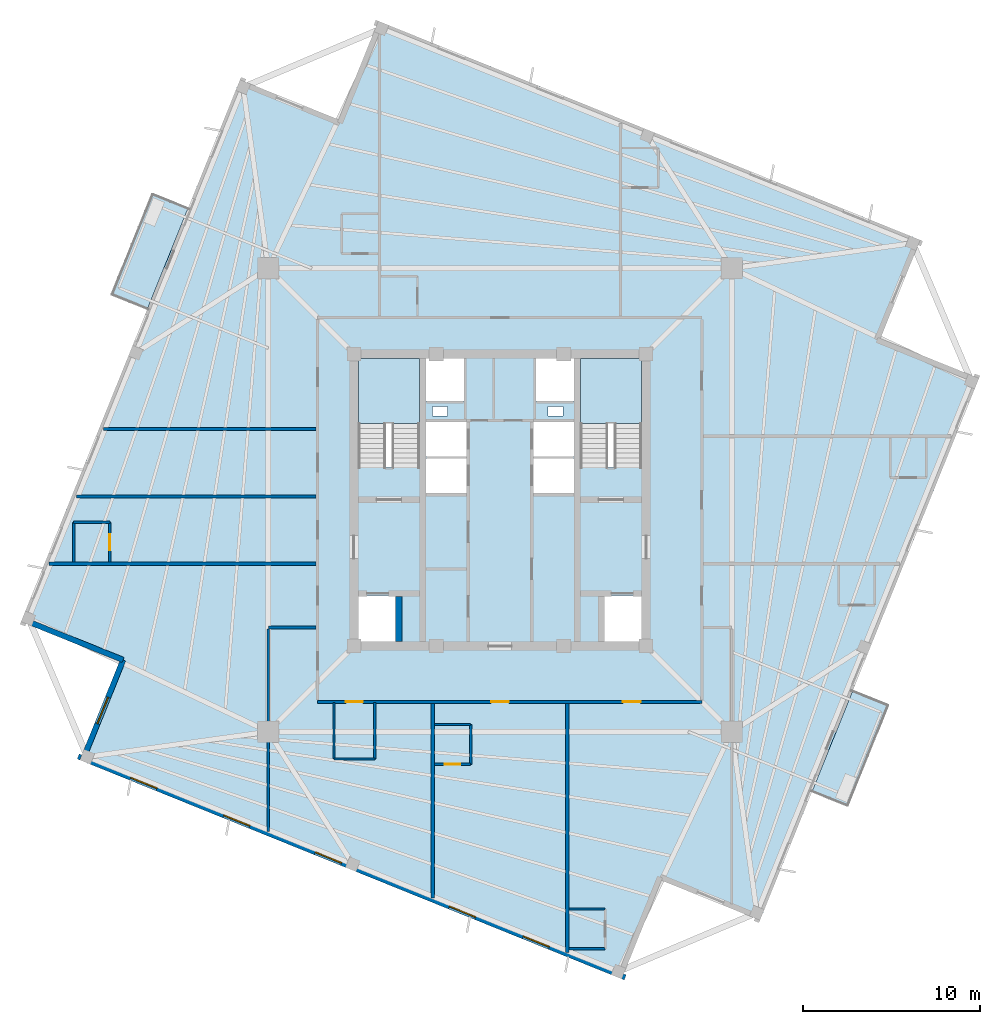
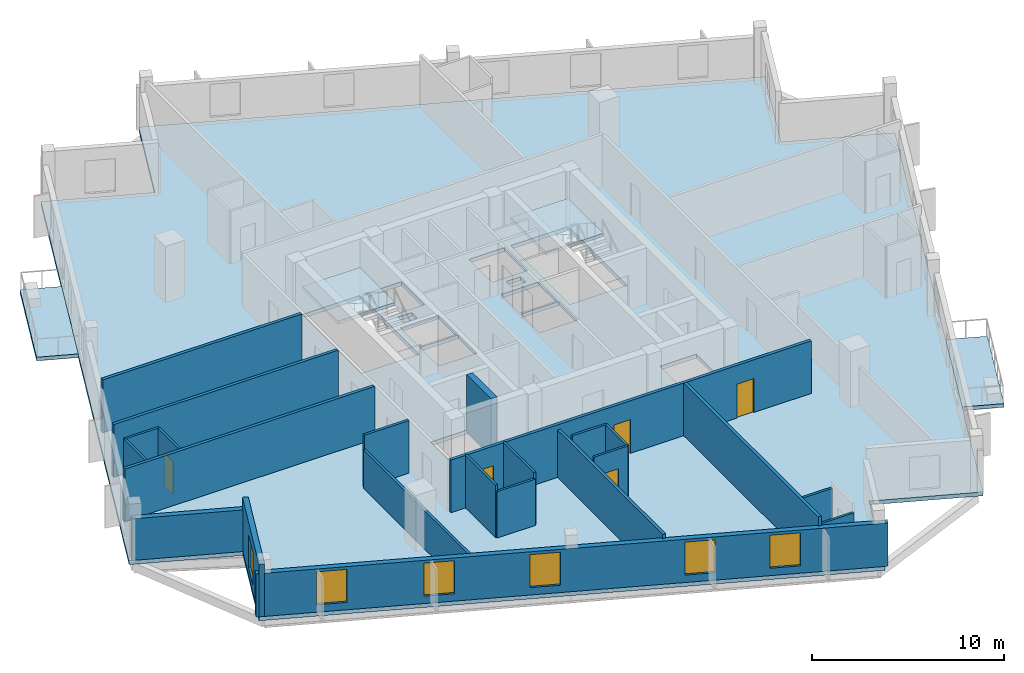
# One storey, part 2 of 9: 23 walls, 6 windows, 5 doors, 5 slabs, 11 openings, 2 elements without a shape of their own.
"""IFC4 building model written with IfcOpenShell, lengths in metres."""

from ifc_helpers import new_model, si_unit, direction, frame, frame_2d, origin, place, context, subcontext, project, spatial, polyline, rectangle, outline, extrude, source, transform, mapped, material, layer, layer_set, type_object, element, fill, aggregate, save


model = new_model("IFC4")

# Units and contexts
model_context = context("Model", 3, precision=1e-05, world=origin(), true_north=direction((0.0, 1.0)))
body_context = subcontext(model_context, "Body", "Model", "MODEL_VIEW")
ifc_project = project(units=[si_unit("LENGTHUNIT", "METRE"), si_unit("AREAUNIT", "SQUARE_METRE"), si_unit("VOLUMEUNIT", "CUBIC_METRE"), si_unit("PLANEANGLEUNIT", "RADIAN"), si_unit("MASSUNIT", "GRAM", prefix="KILO"), si_unit("THERMODYNAMICTEMPERATUREUNIT", "KELVIN")], contexts=[model_context])

# Site, building, storey
site_placement = place(None, origin())
site = spatial("IfcSite", under=ifc_project, at=site_placement, CompositionType="ELEMENT")
building_placement = place(site_placement, origin())
building = spatial("IfcBuilding", under=site, at=building_placement, Name="Kosmvard Interchange Tower", CompositionType="ELEMENT")
storey_placement = place(building_placement, frame((0.0, 0.0, 272.39990234375)))
storey = spatial("IfcBuildingStorey", under=building, at=storey_placement, Name="L66", CompositionType="ELEMENT", Elevation=272.39990234375)

# Slab
ifc_material_1 = material(Name="Concrete C50/60", Category="concrete")
ifc_layer_1 = layer(ifc_material_1, 0.25, Name="Concrete C50/60")
ifc_layer_set_1 = layer_set([ifc_layer_1], Name="Concrete C50/60")
slab_type_1 = type_object("IfcSlabType", Name="Hotel Acoustic Floor Slab 250 C50/60", PredefinedType="FLOOR", material=ifc_layer_set_1)
slab_1_placement = place(storey_placement, frame((0.0, 0.0, -0.25)))
element("IfcSlab", 1, at=slab_1_placement, inside=storey, type_object=slab_type_1, Name="L66 Structural Floor Slab", PredefinedType="FLOOR", context=body_context, shape_type="SweptSolid", body=[
    extrude(outline(polyline([(14.6806640625, -23.727294921875), (27.042724609375, 6.869873046875), (21.4794921875, 9.117431640625), (23.727294921875, 14.6806640625), (-6.869873046875, 27.042724609375), (-9.117431640625, 21.4794921875), (-14.6806640625, 23.727294921875), (-27.042724609375, -6.869873046875), (-21.4794921875, -9.117431640625), (-23.727294921875, -14.6806640625), (6.869873046875, -27.042724609375), (9.117431640625, -21.4794921875), (14.6806640625, -23.727294921875)]), holes=[polyline([(-8.0, 1.8349609375), (-4.5400390625, 1.8349609375), (-4.5400390625, 8.0), (-8.0, 8.0), (-8.0, 1.8349609375)]), polyline([(4.5400390625, 1.8349609375), (8.0, 1.8349609375), (8.0, 8.0), (4.5400390625, 8.0), (4.5400390625, 1.8349609375)]), polyline([(-8.0, -8.0), (-5.800048828125, -8.0), (-5.800048828125, -5.39990234375), (-8.0, -5.39990234375), (-8.0, -8.0)]), polyline([(5.800048828125, -8.0), (8.0, -8.0), (8.0, -5.39990234375), (5.800048828125, -5.39990234375), (5.800048828125, -8.0)]), polyline([(-4.179931640625, 0.39990234375), (-1.8798828125, 0.39990234375), (-1.8798828125, 2.340087890625), (-4.179931640625, 2.340087890625), (-4.179931640625, 0.39990234375)]), polyline([(-4.179931640625, 2.4599609375), (-1.8798828125, 2.4599609375), (-1.8798828125, 4.39990234375), (-4.179931640625, 4.39990234375), (-4.179931640625, 2.4599609375)]), polyline([(1.8798828125, 0.39990234375), (4.179931640625, 0.39990234375), (4.179931640625, 2.340087890625), (1.8798828125, 2.340087890625), (1.8798828125, 0.39990234375)]), polyline([(1.8798828125, 2.4599609375), (4.179931640625, 2.4599609375), (4.179931640625, 4.39990234375), (1.8798828125, 4.39990234375), (1.8798828125, 2.4599609375)]), polyline([(-4.179931640625, 5.60009765625), (-2.0400390625, 5.60009765625), (-2.0400390625, 8.0), (-4.179931640625, 8.0), (-4.179931640625, 5.60009765625)]), polyline([(2.0400390625, 5.60009765625), (4.179931640625, 5.60009765625), (4.179931640625, 8.0), (2.0400390625, 8.0), (2.0400390625, 5.60009765625)]), polyline([(-3.81494140625, 4.739990234375), (-2.965087890625, 4.739990234375), (-2.965087890625, 5.2900390625), (-3.81494140625, 5.2900390625), (-3.81494140625, 4.739990234375)]), polyline([(2.715087890625, 4.739990234375), (3.56494140625, 4.739990234375), (3.56494140625, 5.2900390625), (2.715087890625, 5.2900390625), (2.715087890625, 4.739990234375)])]), origin(), (0.0, 0.0, 1.0), 0.25),
])

# Stair, slab
stair_type = type_object("IfcStairType", Name="Dog-Leg Core Exit Stair H3600 C50/60", PredefinedType="HALF_TURN_STAIR", material=ifc_material_1)
stair_1_placement = place(storey_placement, origin())
stair_1 = element("IfcStair", 2, at=stair_1_placement, inside=storey, type_object=stair_type, Name="L66 Protected Exit Stair ST-1", PredefinedType="HALF_TURN_STAIR")
ifc_layer_2 = layer(ifc_material_1, 0.199951171875, Name="Concrete C50/60")
ifc_layer_set_2 = layer_set([ifc_layer_2], Name="Concrete C50/60")
slab_type_2 = type_object("IfcSlabType", Name="Stair Half-Landing Slab 200 C50/60", PredefinedType="LANDING", material=ifc_layer_set_2)
slab_2_placement = place(storey_placement, frame((0.0, 0.0, 1.60009765625)))
slab_2 = element("IfcSlab", 3, at=slab_2_placement, type_object=slab_type_2, Name="ST-1 landing 1", PredefinedType="LANDING", context=body_context, shape_type="SweptSolid", body=[
    extrude(outline(polyline([(-4.5400390625, 4.320068359375), (-4.5400390625, 8.0), (-8.0, 8.0), (-8.0, 4.320068359375), (-4.5400390625, 4.320068359375)])), origin(), (0.0, 0.0, 1.0), 0.199951171875),
])
aggregate(stair_1, [slab_2])

stair_2_placement = place(storey_placement, origin())
stair_2 = element("IfcStair", 4, at=stair_2_placement, inside=storey, type_object=stair_type, Name="L66 Protected Exit Stair ST-2", PredefinedType="HALF_TURN_STAIR")
slab_3_placement = place(storey_placement, frame((0.0, 0.0, 1.60009765625)))
slab_3 = element("IfcSlab", 5, at=slab_3_placement, type_object=slab_type_2, Name="ST-2 landing 1", PredefinedType="LANDING", context=body_context, shape_type="SweptSolid", body=[
    extrude(outline(polyline([(8.0, 4.320068359375), (8.0, 8.0), (4.5400390625, 8.0), (4.5400390625, 4.320068359375), (8.0, 4.320068359375)])), origin(), (0.0, 0.0, 1.0), 0.199951171875),
])
aggregate(stair_2, [slab_3])

# Slabs
ifc_layer_3 = layer(ifc_material_1, 0.22998046875, Name="Concrete C50/60")
ifc_layer_set_3 = layer_set([ifc_layer_3], Name="Concrete C50/60")
slab_type_3 = type_object("IfcSlabType", Name="Tree-Planter Cantilever Balcony Slab 230 C50/60", PredefinedType="FLOOR", material=ifc_layer_set_3)
slab_4_placement = place(storey_placement, frame((0.0, 0.0, -0.22998046875)))
element("IfcSlab", 6, at=slab_4_placement, inside=storey, type_object=slab_type_3, Name="L66 Outdoor Terrace Balcony Slab BAL-L66-N", PredefinedType="FLOOR", context=body_context, shape_type="SweptSolid", body=[
    extrude(outline(polyline([(-19.925048828125, 10.74658203125), (-17.6025390625, 16.4951171875), (-19.642333984375, 17.3193359375), (-21.96484375, 11.57080078125), (-19.925048828125, 10.74658203125)])), origin(), (0.0, 0.0, 1.0), 0.22998046875),
])
slab_5_placement = place(storey_placement, frame((0.0, 0.0, -0.22998046875)))
element("IfcSlab", 7, at=slab_5_placement, inside=storey, type_object=slab_type_3, Name="L66 Outdoor Terrace Balcony Slab BAL-L66-S", PredefinedType="FLOOR", context=body_context, shape_type="SweptSolid", body=[
    extrude(outline(polyline([(19.642333984375, -17.3193359375), (21.96484375, -11.57080078125), (19.925048828125, -10.74658203125), (17.6025390625, -16.4951171875), (19.642333984375, -17.3193359375)])), origin(), (0.0, 0.0, 1.0), 0.22998046875),
])

# Walls
ifc_material_2 = material(Name="Acoustic gypsum partition system")
ifc_layer_4 = layer(ifc_material_2, 0.14990234375, Name="Acoustic gypsum partition system")
ifc_layer_set_4 = layer_set([ifc_layer_4], Name="Acoustic gypsum partition system")
wall_type_1 = type_object("IfcWallType", Name="Acoustic Suite & Meeting Partition 150", PredefinedType="PARTITIONING", material=ifc_layer_set_4)
wall_1_placement = place(storey_placement, frame((-10.39501953125, -7.199951171875, 0.0), z_axis=(0.0, 0.0, 1.0), x_axis=(-1.0, 0.0, 0.0)))
element("IfcWall", 8, at=wall_1_placement, inside=storey, type_object=wall_type_1, Name="L66 Room Partition 12.1", PredefinedType="PARTITIONING", context=body_context, shape_type="SweptSolid", body=[
    extrude(rectangle(XDim=2.68603515625, YDim=0.14990234375, at=frame_2d((1.343017578125, 0.0))), origin(), (0.0, 0.0, 1.0), 3.35009765625),
])
wall_2_placement = place(storey_placement, frame((-13.0810546875, -7.27490234375, 0.0), z_axis=(0.0, 0.0, 1.0), x_axis=(0.0, -1.0, 0.0)))
element("IfcWall", 9, at=wall_2_placement, inside=storey, type_object=wall_type_1, Name="L66 Room Partition 13.1", PredefinedType="PARTITIONING", context=body_context, shape_type="SweptSolid", body=[
    extrude(rectangle(XDim=11.44287109375, YDim=0.14990234375, at=frame_2d((5.721435546875, 0.0))), origin(), (0.0, 0.0, 1.0), 2.4501953125),
])

# Wall, openings, doors
ifc_material_3 = material(Name="Fire-rated gypsum partition system")
ifc_layer_5 = layer(ifc_material_3, 0.179931640625, Name="Fire-rated gypsum partition system")
ifc_layer_set_5 = layer_set([ifc_layer_5], Name="Fire-rated gypsum partition system")
wall_type_2 = type_object("IfcWallType", Name="Corridor & Hotel Compartment Partition 180", PredefinedType="PARTITIONING", material=ifc_layer_set_5)
wall_3_placement = place(storey_placement, frame((-10.300048828125, -11.39990234375, 0.0), z_axis=(0.0, 0.0, 1.0), x_axis=(1.0, 0.0, 0.0)))
wall_3 = element("IfcWall", 10, at=wall_3_placement, inside=storey, type_object=wall_type_2, Name="L66 Corridor Wall CS", PredefinedType="PARTITIONING", context=body_context, shape_type="SweptSolid", body=[
    extrude(rectangle(XDim=21.699951171875, YDim=0.179931640625, at=frame_2d((10.85009765625, 0.0))), origin(), (0.0, 0.0, 1.0), 3.35009765625),
])
opening_1_placement = place(wall_3_placement, frame((1.60498046875, 0.0, 0.0)))
opening_1 = element("IfcOpeningElement", 11, at=opening_1_placement, cuts=wall_3, Name="Opening L66-D01", PredefinedType="OPENING", context=body_context, shape_type="SweptSolid", body=[
    extrude(rectangle(XDim=0.949951171875, YDim=2.10009765625, at=frame_2d((0.47509765625, 1.050048828125))), frame((0.0, 0.10009765625, 0.0), z_axis=(0.0, -1.0, 0.0), x_axis=(1.0, 0.0, 0.0)), (0.0, 0.0, 1.0), 0.199951171875),
])
opening_2_placement = place(wall_3_placement, frame((17.235595703125, 0.0, 0.0)))
opening_2 = element("IfcOpeningElement", 12, at=opening_2_placement, cuts=wall_3, Name="Opening L66-D13", PredefinedType="OPENING", context=body_context, shape_type="SweptSolid", body=[
    extrude(rectangle(XDim=1.0, YDim=2.14990234375, at=frame_2d((0.5, 1.074951171875))), frame((0.0, 0.10009765625, 0.0), z_axis=(0.0, -1.0, 0.0), x_axis=(1.0, 0.0, 0.0)), (0.0, 0.0, 1.0), 0.199951171875),
])
opening_3_placement = place(wall_3_placement, frame((9.800048828125, 0.0, 0.0)))
opening_3 = element("IfcOpeningElement", 13, at=opening_3_placement, cuts=wall_3, Name="Opening L66-D15", PredefinedType="OPENING", context=body_context, shape_type="SweptSolid", body=[
    extrude(rectangle(XDim=1.0, YDim=2.14990234375, at=frame_2d((0.5, 1.074951171875))), frame((0.0, 0.10009765625, 0.0), z_axis=(0.0, -1.0, 0.0), x_axis=(1.0, 0.0, 0.0)), (0.0, 0.0, 1.0), 0.199951171875),
])
ifc_material_4 = material(Name="Laminated moisture-resistant timber", Category="wood")
door_type_1 = type_object("IfcDoorType", Name="Accessible Washroom Door 950x2100", OperationType="NOTDEFINED", PredefinedType="DOOR", material=ifc_material_4)
shared_shape_1 = source(origin(), body_context, "Body", "SweptSolid", [
    extrude(rectangle(XDim=0.949951171875, YDim=2.10009765625, at=frame_2d((0.47509765625, 1.050048828125))), frame((0.0, 0.02490234375, 0.0), z_axis=(0.0, -1.0, 0.0), x_axis=(1.0, 0.0, 0.0)), (0.0, 0.0, 1.0), 0.050048828125),
])
door_1_placement = place(opening_1_placement, frame((0.949951171875, 0.0, 0.0), z_axis=(0.0, 0.0, 1.0), x_axis=(-1.0, 0.0, 0.0)))
door_1 = element("IfcDoor", 14, at=door_1_placement, inside=storey, type_object=door_type_1, Name="L66 Accessible Guest Toilet Door", OperationType="SINGLE_SWING_LEFT", OverallHeight=2.10009765625, OverallWidth=0.949951171875, PredefinedType="DOOR", context=body_context, shape_type="MappedRepresentation", body=[
    mapped(shared_shape_1, transform((0.0, 0.0, 0.0), scale=1.0)),
])
fill(opening_1, door_1)
ifc_material_5 = material(Name="Engineered oak fire-rated timber", Category="wood")
door_type_2 = type_object("IfcDoorType", Name="Hotel Guestroom Entrance Door 1000x2150 EI60", OperationType="NOTDEFINED", PredefinedType="DOOR", material=ifc_material_5)
shared_shape_2 = source(origin(), body_context, "Body", "SweptSolid", [
    extrude(rectangle(XDim=1.0, YDim=2.14990234375, at=frame_2d((0.5, 1.074951171875))), frame((0.0, 0.02490234375, 0.0), z_axis=(0.0, -1.0, 0.0), x_axis=(1.0, 0.0, 0.0)), (0.0, 0.0, 1.0), 0.050048828125),
])
door_2_placement = place(opening_2_placement, frame((1.0, 0.0, 0.0), z_axis=(0.0, 0.0, 1.0), x_axis=(-1.0, 0.0, 0.0)))
door_2 = element("IfcDoor", 15, at=door_2_placement, inside=storey, type_object=door_type_2, Name="L66 Hotel Deluxe Junior Suite 4 Door", OperationType="SINGLE_SWING_LEFT", OverallHeight=2.14990234375, OverallWidth=1.0, PredefinedType="DOOR", context=body_context, shape_type="MappedRepresentation", body=[
    mapped(shared_shape_2, transform((0.0, 0.0, 0.0), scale=1.0)),
])
fill(opening_2, door_2)
door_3_placement = place(opening_3_placement, frame((1.0, 0.0, 0.0), z_axis=(0.0, 0.0, 1.0), x_axis=(-1.0, 0.0, 0.0)))
door_3 = element("IfcDoor", 16, at=door_3_placement, inside=storey, type_object=door_type_2, Name="L66 Hotel South-West Corner Suite 3 Door", OperationType="SINGLE_SWING_LEFT", OverallHeight=2.14990234375, OverallWidth=1.0, PredefinedType="DOOR", context=body_context, shape_type="MappedRepresentation", body=[
    mapped(shared_shape_2, transform((0.0, 0.0, 0.0), scale=1.0)),
])
fill(opening_3, door_3)

# Walls
wall_4_placement = place(storey_placement, frame((3.800048828125, -11.4951171875, 0.0), z_axis=(0.0, 0.0, 1.0), x_axis=(0.0, -1.0, 0.0)))
element("IfcWall", 17, at=wall_4_placement, inside=storey, type_object=wall_type_2, Name="L66 Room Partition 05.1", PredefinedType="PARTITIONING", context=body_context, shape_type="SweptSolid", body=[
    extrude(rectangle(XDim=14.04296875, YDim=0.179931640625, at=frame_2d((7.021484375, 0.0))), origin(), (0.0, 0.0, 1.0), 3.35009765625),
])
wall_5_placement = place(storey_placement, frame((-3.800048828125, -11.4951171875, 0.0), z_axis=(0.0, 0.0, 1.0), x_axis=(0.0, -1.0, 0.0)))
element("IfcWall", 18, at=wall_5_placement, inside=storey, type_object=wall_type_2, Name="L66 Room Partition 06.1", PredefinedType="PARTITIONING", context=body_context, shape_type="SweptSolid", body=[
    extrude(rectangle(XDim=10.972412109375, YDim=0.179931640625, at=frame_2d((5.486328125, 0.0))), origin(), (0.0, 0.0, 1.0), 3.02001953125),
])
wall_6_placement = place(storey_placement, frame((-10.39501953125, -3.60009765625, 0.0), z_axis=(0.0, 0.0, 1.0), x_axis=(-1.0, 0.0, 0.0)))
element("IfcWall", 19, at=wall_6_placement, inside=storey, type_object=wall_type_2, Name="L66 Room Partition 07.1", PredefinedType="PARTITIONING", context=body_context, shape_type="SweptSolid", body=[
    extrude(rectangle(XDim=15.062255859375, YDim=0.179931640625, at=frame_2d((7.53125, 0.0))), origin(), (0.0, 0.0, 1.0), 3.35009765625),
])
wall_7_placement = place(storey_placement, frame((-10.39501953125, 0.199951171875, 0.0), z_axis=(0.0, 0.0, 1.0), x_axis=(-1.0, 0.0, 0.0)))
element("IfcWall", 20, at=wall_7_placement, inside=storey, type_object=wall_type_2, Name="L66 Room Partition 08.1", PredefinedType="PARTITIONING", context=body_context, shape_type="SweptSolid", body=[
    extrude(rectangle(XDim=13.52685546875, YDim=0.179931640625, at=frame_2d((6.763427734375, 0.0))), origin(), (0.0, 0.0, 1.0), 3.35009765625),
])
wall_8_placement = place(storey_placement, frame((-10.39501953125, 4.0, 0.0), z_axis=(0.0, 0.0, 1.0), x_axis=(-1.0, 0.0, 0.0)))
element("IfcWall", 21, at=wall_8_placement, inside=storey, type_object=wall_type_2, Name="L66 Room Partition 09.1", PredefinedType="PARTITIONING", context=body_context, shape_type="SweptSolid", body=[
    extrude(rectangle(XDim=11.99169921875, YDim=0.179931640625, at=frame_2d((5.995849609375, 0.0))), origin(), (0.0, 0.0, 1.0), 3.35009765625),
])
ifc_material_6 = material(Name="Concrete C60/75", Category="concrete")
ifc_layer_6 = layer(ifc_material_6, 0.360107421875, Name="Concrete C60/75")
ifc_layer_set_6 = layer_set([ifc_layer_6], Name="Concrete C60/75")
wall_type_3 = type_object("IfcWallType", Name="Stair & Lift Shaft Shear Wall 360 C60/75", PredefinedType="SHEAR", material=ifc_layer_set_6)
wall_9_placement = place(storey_placement, frame((-5.7099609375, -8.0, 0.0), z_axis=(0.0, 0.0, 1.0), x_axis=(0.0, 1.0, 0.0)))
element("IfcWall", 22, at=wall_9_placement, inside=storey, type_object=wall_type_3, Name="L66 Shaft Shear Wall SW-SM1", PredefinedType="SHEAR", context=body_context, shape_type="SweptSolid", body=[
    extrude(rectangle(XDim=2.5400390625, YDim=0.360107421875, at=frame_2d((1.27001953125, 0.0))), origin(), (0.0, 0.0, 1.0), 3.60009765625),
])
ifc_material_7 = material(Name="Precast concrete C45/55", Category="concrete")
ifc_layer_7 = layer(ifc_material_7, 0.31005859375, Name="Precast concrete C45/55")
ifc_layer_set_7 = layer_set([ifc_layer_7], Name="Precast concrete C45/55")
wall_type_4 = type_object("IfcWallType", Name="Upper Tower Precast Pier Wall 310 C45/55", PredefinedType="STANDARD", material=ifc_layer_set_7)
wall_10_placement = place(storey_placement, frame((-26.8408203125, -6.7841796875, 0.0), z_axis=(0.0, 0.0, 1.0), x_axis=(0.927171722085, -0.374636620962, 0.0)))
element("IfcWall", 23, at=wall_10_placement, inside=storey, type_object=wall_type_4, Name="L66 Precast Facade Wall N-NW1", PredefinedType="STANDARD", context=body_context, shape_type="SweptSolid", body=[
    extrude(rectangle(XDim=6.0, YDim=0.31005859375, at=frame_2d((3.0, 0.0))), origin(), (0.0, 0.0, 1.0), 2.650146484375),
])

# Wall, opening, window
wall_11_placement = place(storey_placement, frame((-21.27783203125, -9.031982421875, 0.0), z_axis=(0.0, 0.0, 1.0), x_axis=(-0.374602739196, -0.927185411764, 0.0)))
wall_11 = element("IfcWall", 24, at=wall_11_placement, inside=storey, type_object=wall_type_4, Name="L66 Precast Facade Wall N-NW2", PredefinedType="STANDARD", context=body_context, shape_type="SweptSolid", body=[
    extrude(rectangle(XDim=6.155029296875, YDim=0.31005859375, at=frame_2d((3.07763671875, 0.0))), origin(), (0.0, 0.0, 1.0), 3.35009765625),
])
opening_4_placement = place(wall_11_placement, frame((2.277587890625, 0.0, 0.469970703125)))
opening_4 = element("IfcOpeningElement", 25, at=opening_4_placement, cuts=wall_11, Name="Opening L66-W23", PredefinedType="OPENING", context=body_context, shape_type="SweptSolid", body=[
    extrude(rectangle(XDim=1.60009765625, YDim=2.10009765625, at=frame_2d((0.800048828125, 1.050048828125))), frame((0.0, 0.1650390625, 0.0), z_axis=(0.0, -1.0, 0.0), x_axis=(1.0, 0.0, 0.0)), (0.0, 0.0, 1.0), 0.330078125),
])
ifc_material_8 = material(Name="Low-E acoustic double glazing", Category="glass")
window_type = type_object("IfcWindowType", Name="Zone 5 Hotel Punched Window 1600x2100", PartitioningType="SINGLE_PANEL", PredefinedType="WINDOW", material=ifc_material_8)
shared_shape_3 = source(origin(), body_context, "Body", "SweptSolid", [
    extrude(rectangle(XDim=1.60009765625, YDim=2.10009765625, at=frame_2d((0.800048828125, 1.050048828125))), frame((0.0, 0.030029296875, 0.0), z_axis=(0.0, -1.0, 0.0), x_axis=(1.0, 0.0, 0.0)), (0.0, 0.0, 1.0), 0.06005859375),
])
window_1_placement = place(opening_4_placement, origin())
window_1 = element("IfcWindow", 26, at=window_1_placement, inside=storey, type_object=window_type, Name="L66 Corner Notch Window 23", OverallHeight=2.10009765625, OverallWidth=1.60009765625, PartitioningType="SINGLE_PANEL", PredefinedType="WINDOW", context=body_context, shape_type="MappedRepresentation", body=[
    mapped(shared_shape_3, transform((0.0, 0.0, 0.0), scale=1.0)),
])
fill(opening_4, window_1)

# Wall, openings, windows
wall_12_placement = place(storey_placement, frame((-23.812744140625, -14.478759765625, 0.0), z_axis=(0.0, 0.0, 1.0), x_axis=(0.927182657188, -0.374609557019, 0.0)))
wall_12 = element("IfcWall", 27, at=wall_12_placement, inside=storey, type_object=wall_type_4, Name="L66 Precast Facade Wall F-W", PredefinedType="STANDARD", context=body_context, shape_type="SweptSolid", body=[
    extrude(rectangle(XDim=33.31005859375, YDim=0.31005859375, at=frame_2d((16.655029296875, 0.0))), origin(), (0.0, 0.0, 1.0), 2.75),
])
opening_5_placement = place(wall_12_placement, frame((3.197265625, 0.0, 0.469970703125)))
opening_5 = element("IfcOpeningElement", 28, at=opening_5_placement, cuts=wall_12, Name="Opening L66-W16", PredefinedType="OPENING", context=body_context, shape_type="SweptSolid", body=[
    extrude(rectangle(XDim=1.60009765625, YDim=2.10009765625, at=frame_2d((0.800048828125, 1.050048828125))), frame((0.0, 0.1650390625, 0.0), z_axis=(0.0, -1.0, 0.0), x_axis=(1.0, 0.0, 0.0)), (0.0, 0.0, 1.0), 0.330078125),
])
opening_6_placement = place(wall_12_placement, frame((8.85986328125, 0.0, 0.469970703125)))
opening_6 = element("IfcOpeningElement", 29, at=opening_6_placement, cuts=wall_12, Name="Opening L66-W17", PredefinedType="OPENING", context=body_context, shape_type="SweptSolid", body=[
    extrude(rectangle(XDim=1.60009765625, YDim=2.10009765625, at=frame_2d((0.800048828125, 1.050048828125))), frame((0.0, 0.1650390625, 0.0), z_axis=(0.0, -1.0, 0.0), x_axis=(1.0, 0.0, 0.0)), (0.0, 0.0, 1.0), 0.330078125),
])
opening_7_placement = place(wall_12_placement, frame((14.438720703125, 0.0, 0.469970703125)))
opening_7 = element("IfcOpeningElement", 30, at=opening_7_placement, cuts=wall_12, Name="Opening L66-W18", PredefinedType="OPENING", context=body_context, shape_type="SweptSolid", body=[
    extrude(rectangle(XDim=1.60009765625, YDim=2.10009765625, at=frame_2d((0.800048828125, 1.050048828125))), frame((0.0, 0.1650390625, 0.0), z_axis=(0.0, -1.0, 0.0), x_axis=(1.0, 0.0, 0.0)), (0.0, 0.0, 1.0), 0.330078125),
])
opening_8_placement = place(wall_12_placement, frame((22.600830078125, 0.0, 0.469970703125)))
opening_8 = element("IfcOpeningElement", 31, at=opening_8_placement, cuts=wall_12, Name="Opening L66-W19", PredefinedType="OPENING", context=body_context, shape_type="SweptSolid", body=[
    extrude(rectangle(XDim=1.60009765625, YDim=2.10009765625, at=frame_2d((0.800048828125, 1.050048828125))), frame((0.0, 0.1650390625, 0.0), z_axis=(0.0, -1.0, 0.0), x_axis=(1.0, 0.0, 0.0)), (0.0, 0.0, 1.0), 0.330078125),
])
opening_9_placement = place(wall_12_placement, frame((27.0966796875, 0.0, 0.469970703125)))
opening_9 = element("IfcOpeningElement", 32, at=opening_9_placement, cuts=wall_12, Name="Opening L66-W20", PredefinedType="OPENING", context=body_context, shape_type="SweptSolid", body=[
    extrude(rectangle(XDim=1.60009765625, YDim=2.10009765625, at=frame_2d((0.800048828125, 1.050048828125))), frame((0.0, 0.1650390625, 0.0), z_axis=(0.0, -1.0, 0.0), x_axis=(1.0, 0.0, 0.0)), (0.0, 0.0, 1.0), 0.330078125),
])
window_2_placement = place(opening_5_placement, origin())
window_2 = element("IfcWindow", 33, at=window_2_placement, inside=storey, type_object=window_type, Name="L66 Facade Punched Window 16", OverallHeight=2.10009765625, OverallWidth=1.60009765625, PartitioningType="SINGLE_PANEL", PredefinedType="WINDOW", context=body_context, shape_type="MappedRepresentation", body=[
    mapped(shared_shape_3, transform((0.0, 0.0, 0.0), scale=1.0)),
])
fill(opening_5, window_2)
window_3_placement = place(opening_6_placement, origin())
window_3 = element("IfcWindow", 34, at=window_3_placement, inside=storey, type_object=window_type, Name="L66 Facade Punched Window 17", OverallHeight=2.10009765625, OverallWidth=1.60009765625, PartitioningType="SINGLE_PANEL", PredefinedType="WINDOW", context=body_context, shape_type="MappedRepresentation", body=[
    mapped(shared_shape_3, transform((0.0, 0.0, 0.0), scale=1.0)),
])
fill(opening_6, window_3)
window_4_placement = place(opening_7_placement, origin())
window_4 = element("IfcWindow", 35, at=window_4_placement, inside=storey, type_object=window_type, Name="L66 Facade Punched Window 18", OverallHeight=2.10009765625, OverallWidth=1.60009765625, PartitioningType="SINGLE_PANEL", PredefinedType="WINDOW", context=body_context, shape_type="MappedRepresentation", body=[
    mapped(shared_shape_3, transform((0.0, 0.0, 0.0), scale=1.0)),
])
fill(opening_7, window_4)
window_5_placement = place(opening_8_placement, origin())
window_5 = element("IfcWindow", 36, at=window_5_placement, inside=storey, type_object=window_type, Name="L66 Facade Punched Window 19", OverallHeight=2.10009765625, OverallWidth=1.60009765625, PartitioningType="SINGLE_PANEL", PredefinedType="WINDOW", context=body_context, shape_type="MappedRepresentation", body=[
    mapped(shared_shape_3, transform((0.0, 0.0, 0.0), scale=1.0)),
])
fill(opening_8, window_5)
window_6_placement = place(opening_9_placement, origin())
window_6 = element("IfcWindow", 37, at=window_6_placement, inside=storey, type_object=window_type, Name="L66 Facade Punched Window 20", OverallHeight=2.10009765625, OverallWidth=1.60009765625, PartitioningType="SINGLE_PANEL", PredefinedType="WINDOW", context=body_context, shape_type="MappedRepresentation", body=[
    mapped(shared_shape_3, transform((0.0, 0.0, 0.0), scale=1.0)),
])
fill(opening_9, window_6)

# Walls
ifc_material_9 = material(Name="Moisture-resistant gypsum partition")
ifc_layer_8 = layer(ifc_material_9, 0.135009765625, Name="Moisture-resistant gypsum partition")
ifc_layer_set_8 = layer_set([ifc_layer_8], Name="Moisture-resistant gypsum partition")
wall_type_5 = type_object("IfcWallType", Name="Wet Room Moisture-Resistant Partition 135", PredefinedType="PARTITIONING", material=ifc_layer_set_8)
wall_13_placement = place(storey_placement, frame((-9.3701171875, -14.6201171875, 0.0), z_axis=(0.0, 0.0, 1.0), x_axis=(1.0, 0.0, 0.0)))
element("IfcWall", 38, at=wall_13_placement, inside=storey, type_object=wall_type_5, Name="L66 Washroom Partition HAWC-S", PredefinedType="PARTITIONING", context=body_context, shape_type="SweptSolid", body=[
    extrude(rectangle(XDim=2.300048828125, YDim=0.135009765625, at=frame_2d((1.14990234375, 0.0))), origin(), (0.0, 0.0, 1.0), 2.9501953125),
])
for number, where, z_axis, x_axis, name in (
    (39, (-7.070068359375, -14.6201171875, 0.0), (0.0, 0.0, 1.0), (0.0, 1.0, 0.0), "L66 Washroom Partition HAWC-E"),
    (40, (-9.3701171875, -14.6201171875, 0.0), (0.0, 0.0, 1.0), (0.0, 1.0, 0.0), "L66 Washroom Partition HAWC-W"),
):
    element("IfcWall", number, at=place(storey_placement, frame(where, z_axis=z_axis, x_axis=x_axis)), inside=storey, type_object=wall_type_5, Name=name, PredefinedType="PARTITIONING", context=body_context, shape_type="SweptSolid", body=[
        extrude(rectangle(XDim=3.2001953125, YDim=0.135009765625, at=frame_2d((1.60009765625, 0.0))), origin(), (0.0, 0.0, 1.0), 3.35009765625),
    ])
wall_14_placement = place(storey_placement, frame((3.889892578125, -25.341552734375, 0.0), z_axis=(0.0, 0.0, 1.0), x_axis=(1.0, 0.0, 0.0)))
element("IfcWall", 41, at=wall_14_placement, inside=storey, type_object=wall_type_5, Name="L66 En-Suite Partition HGR4-S", PredefinedType="PARTITIONING", context=body_context, shape_type="SweptSolid", body=[
    extrude(rectangle(XDim=2.050048828125, YDim=0.135009765625, at=frame_2d((1.02490234375, 0.0))), origin(), (0.0, 0.0, 1.0), 2.75),
])
wall_15_placement = place(storey_placement, frame((3.889892578125, -23.091552734375, 0.0), z_axis=(0.0, 0.0, 1.0), x_axis=(1.0, 0.0, 0.0)))
element("IfcWall", 42, at=wall_15_placement, inside=storey, type_object=wall_type_5, Name="L66 En-Suite Partition HGR4-N", PredefinedType="PARTITIONING", context=body_context, shape_type="SweptSolid", body=[
    extrude(rectangle(XDim=2.050048828125, YDim=0.135009765625, at=frame_2d((1.02490234375, 0.0))), origin(), (0.0, 0.0, 1.0), 2.9501953125),
])

# Wall, opening, door
wall_16_placement = place(storey_placement, frame((-3.7099609375, -14.925048828125, 0.0), z_axis=(0.0, 0.0, 1.0), x_axis=(1.0, 0.0, 0.0)))
wall_16 = element("IfcWall", 43, at=wall_16_placement, inside=storey, type_object=wall_type_5, Name="L66 En-Suite Partition HCS3-S", PredefinedType="PARTITIONING", context=body_context, shape_type="SweptSolid", body=[
    extrude(rectangle(XDim=2.050048828125, YDim=0.135009765625, at=frame_2d((1.02490234375, 0.0))), origin(), (0.0, 0.0, 1.0), 3.35009765625),
])
opening_10_placement = place(wall_16_placement, frame((0.5849609375, 0.0, 0.0)))
opening_10 = element("IfcOpeningElement", 44, at=opening_10_placement, cuts=wall_16, Name="Opening L66-ED16", PredefinedType="OPENING", context=body_context, shape_type="SweptSolid", body=[
    extrude(rectangle(XDim=0.8798828125, YDim=2.10009765625, at=frame_2d((0.43994140625, 1.050048828125))), frame((0.0, 0.07763671875, 0.0), z_axis=(0.0, -1.0, 0.0), x_axis=(1.0, 0.0, 0.0)), (0.0, 0.0, 1.0), 0.155029296875),
])
door_type_3 = type_object("IfcDoorType", Name="En-Suite & Washroom Door 880x2100", OperationType="NOTDEFINED", PredefinedType="DOOR", material=ifc_material_4)
shared_shape_4 = source(origin(), body_context, "Body", "SweptSolid", [
    extrude(rectangle(XDim=0.8798828125, YDim=2.10009765625, at=frame_2d((0.43994140625, 1.050048828125))), frame((0.0, 0.02490234375, 0.0), z_axis=(0.0, -1.0, 0.0), x_axis=(1.0, 0.0, 0.0)), (0.0, 0.0, 1.0), 0.050048828125),
])
door_4_placement = place(opening_10_placement, origin())
door_4 = element("IfcDoor", 45, at=door_4_placement, inside=storey, type_object=door_type_3, Name="L66 HCS3 En-Suite Door", OperationType="SINGLE_SWING_LEFT", OverallHeight=2.10009765625, OverallWidth=0.8798828125, PredefinedType="DOOR", context=body_context, shape_type="MappedRepresentation", body=[
    mapped(shared_shape_4, transform((0.0, 0.0, 0.0), scale=1.0)),
])
fill(opening_10, door_4)

# Walls
wall_17_placement = place(storey_placement, frame((-1.659912109375, -14.925048828125, 0.0), z_axis=(0.0, 0.0, 1.0), x_axis=(0.0, 1.0, 0.0)))
element("IfcWall", 46, at=wall_17_placement, inside=storey, type_object=wall_type_5, Name="L66 En-Suite Partition HCS3-E", PredefinedType="PARTITIONING", context=body_context, shape_type="SweptSolid", body=[
    extrude(rectangle(XDim=2.25, YDim=0.135009765625, at=frame_2d((1.125, 0.0))), origin(), (0.0, 0.0, 1.0), 3.35009765625),
])
wall_18_placement = place(storey_placement, frame((-3.7099609375, -12.675048828125, 0.0), z_axis=(0.0, 0.0, 1.0), x_axis=(1.0, 0.0, 0.0)))
element("IfcWall", 47, at=wall_18_placement, inside=storey, type_object=wall_type_5, Name="L66 En-Suite Partition HCS3-N", PredefinedType="PARTITIONING", context=body_context, shape_type="SweptSolid", body=[
    extrude(rectangle(XDim=2.050048828125, YDim=0.135009765625, at=frame_2d((1.02490234375, 0.0))), origin(), (0.0, 0.0, 1.0), 3.35009765625),
])

# Wall, opening, door
wall_19_placement = place(storey_placement, frame((-22.02392578125, -3.510009765625, 0.0), z_axis=(0.0, 0.0, 1.0), x_axis=(0.0, 1.0, 0.0)))
wall_19 = element("IfcWall", 48, at=wall_19_placement, inside=storey, type_object=wall_type_5, Name="L66 En-Suite Partition HGR5-E", PredefinedType="PARTITIONING", context=body_context, shape_type="SweptSolid", body=[
    extrude(rectangle(XDim=2.25, YDim=0.135009765625, at=frame_2d((1.125, 0.0))), origin(), (0.0, 0.0, 1.0), 3.35009765625),
])
opening_11_placement = place(wall_19_placement, frame((0.68505859375, 0.0, 0.0)))
opening_11 = element("IfcOpeningElement", 49, at=opening_11_placement, cuts=wall_19, Name="Opening L66-ED20", PredefinedType="OPENING", context=body_context, shape_type="SweptSolid", body=[
    extrude(rectangle(XDim=0.8798828125, YDim=2.10009765625, at=frame_2d((0.43994140625, 1.050048828125))), frame((0.0, 0.07763671875, 0.0), z_axis=(0.0, -1.0, 0.0), x_axis=(1.0, 0.0, 0.0)), (0.0, 0.0, 1.0), 0.155029296875),
])
door_5_placement = place(opening_11_placement, origin())
door_5 = element("IfcDoor", 50, at=door_5_placement, inside=storey, type_object=door_type_3, Name="L66 HGR5 En-Suite Door", OperationType="SINGLE_SWING_LEFT", OverallHeight=2.10009765625, OverallWidth=0.8798828125, PredefinedType="DOOR", context=body_context, shape_type="MappedRepresentation", body=[
    mapped(shared_shape_4, transform((0.0, 0.0, 0.0), scale=1.0)),
])
fill(opening_11, door_5)

# Walls
wall_20_placement = place(storey_placement, frame((-24.073974609375, -1.260009765625, 0.0), z_axis=(0.0, 0.0, 1.0), x_axis=(1.0, 0.0, 0.0)))
element("IfcWall", 51, at=wall_20_placement, inside=storey, type_object=wall_type_5, Name="L66 En-Suite Partition HGR5-N", PredefinedType="PARTITIONING", context=body_context, shape_type="SweptSolid", body=[
    extrude(rectangle(XDim=2.050048828125, YDim=0.135009765625, at=frame_2d((1.02490234375, 0.0))), origin(), (0.0, 0.0, 1.0), 3.35009765625),
])
wall_21_placement = place(storey_placement, frame((-24.073974609375, -3.510009765625, 0.0), z_axis=(0.0, 0.0, 1.0), x_axis=(0.0, 1.0, 0.0)))
element("IfcWall", 52, at=wall_21_placement, inside=storey, type_object=wall_type_5, Name="L66 En-Suite Partition HGR5-W", PredefinedType="PARTITIONING", context=body_context, shape_type="SweptSolid", body=[
    extrude(rectangle(XDim=2.25, YDim=0.135009765625, at=frame_2d((1.125, 0.0))), origin(), (0.0, 0.0, 1.0), 3.35009765625),
])

save(model, "model.ifc")
